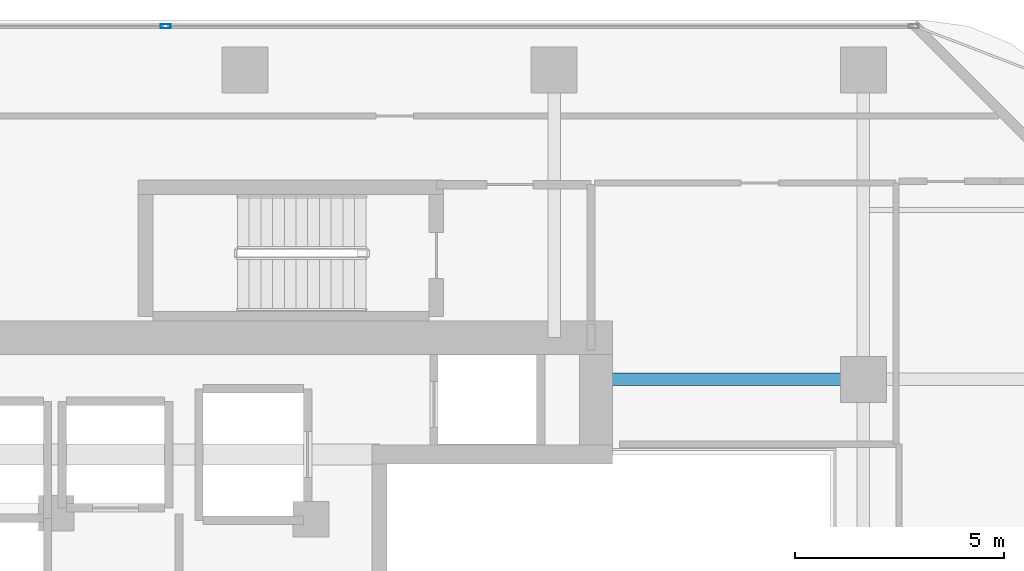
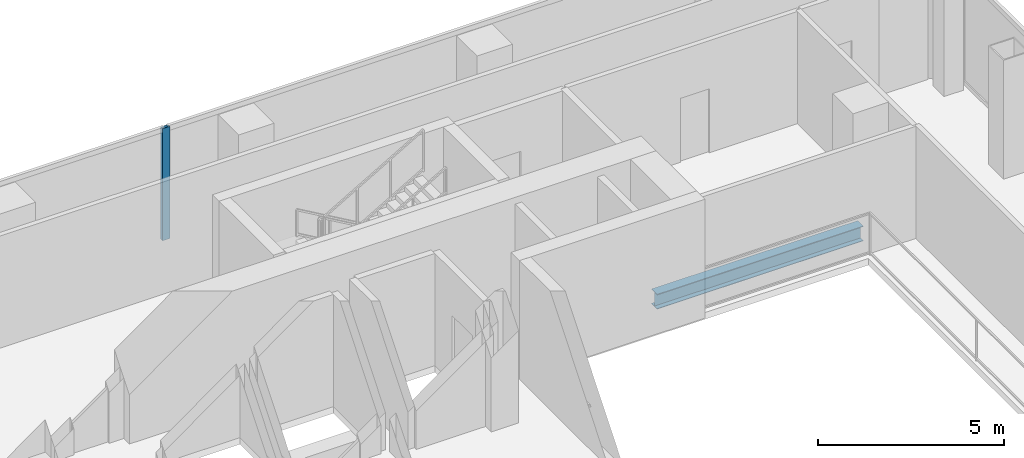
# One storey, part 13 of 23: 1 beam, 1 member, 1 element without a shape of its own.
"""IFC4 building model written with IfcOpenShell, lengths in metres."""

import ifcopenshell
import ifcopenshell.guid

model = None  # the IFC model being written
_history = None  # IfcOwnerHistory: only IFC2X3 demands one
_inside = {}  # id of a spatial element -> (the spatial element, [elements in it])
_under = {}  # id of a project, library or spatial element -> (it, [spatial elements below it])
_declared = {}  # id of a project -> (the project, [libraries it declares])
_typed = {}  # id of a type object -> (the type object, [elements of that type])
_made_of = {}  # id of a material, layer set ... -> (it, [elements and type objects made of it])


def new_model(schema):
    """Start an empty IFC model of exactly this schema.

    Asked for "IFC4X3", IfcOpenShell would pick the latest addendum, in which some entities
    have other attributes; the version numbers below select the first issue.
    IFC2X3 requires an IfcOwnerHistory on every rooted entity: one is made here for all.
    """
    global model, _history
    if schema == "IFC4X3":
        model = ifcopenshell.file(schema_version=(4, 3, 0, 0))
    else:
        model = ifcopenshell.file(schema=schema)
    _inside.clear()
    _under.clear()
    _declared.clear()
    _typed.clear()
    _made_of.clear()
    _history = None
    if model.schema == "IFC2X3":
        org = make("IfcOrganization", Name="unknown")
        user = make(
            "IfcPersonAndOrganization",
            ThePerson=make("IfcPerson", FamilyName="unknown"),
            TheOrganization=org,
        )
        app = make(
            "IfcApplication",
            ApplicationDeveloper=org,
            Version="unknown",
            ApplicationFullName="unknown",
            ApplicationIdentifier="unknown",
        )
        _history = make(
            "IfcOwnerHistory",
            OwningUser=user,
            OwningApplication=app,
            ChangeAction="ADDED",
            CreationDate=0,
        )
    return model


def make(cls, **values):
    """One entity of the class cls with the attributes given. An attribute that is None is left unset."""
    return model.create_entity(
        cls, **{name: value for name, value in values.items() if value is not None}
    )


def rooted(cls, **values):
    """An entity with a GlobalId (a new one), such as an element, a storey or a relation."""
    return make(cls, GlobalId=ifcopenshell.guid.new(), OwnerHistory=_history, **values)


def si_unit(unit_type, name, prefix=None):
    """IfcSIUnit, for example si_unit("LENGTHUNIT", "METRE", prefix="MILLI")."""
    return make("IfcSIUnit", UnitType=unit_type, Prefix=prefix, Name=name)


def assignment(units):
    """IfcUnitAssignment: the units of a project."""
    return None if units is None else make("IfcUnitAssignment", Units=units)


def point(xyz):
    """IfcCartesianPoint."""
    return None if xyz is None else make("IfcCartesianPoint", Coordinates=xyz)


def direction(xyz):
    """IfcDirection."""
    return None if xyz is None else make("IfcDirection", DirectionRatios=xyz)


def frame(location, z_axis=None, x_axis=None):
    """IfcAxis2Placement3D, a coordinate frame: its origin and axes. An axis left out is left unset."""
    return make(
        "IfcAxis2Placement3D",
        Location=point(location),
        Axis=direction(z_axis),
        RefDirection=direction(x_axis),
    )


def frame_2d(location, x_axis=None):
    """IfcAxis2Placement2D, a coordinate frame in the plane: its origin and x axis."""
    return make(
        "IfcAxis2Placement2D", Location=point(location), RefDirection=direction(x_axis)
    )


def origin():
    """The frame at (0, 0, 0) with its axes left unset."""
    return frame((0.0, 0.0, 0.0))


def origin_2d():
    """The frame at (0, 0) in the plane with its x axis left unset."""
    return frame_2d((0.0, 0.0))


def place(relative_to, where):
    """IfcLocalPlacement: puts the frame where relative to a parent placement (None: the world)."""
    return make(
        "IfcLocalPlacement", PlacementRelTo=relative_to, RelativePlacement=where
    )


def context(
    kind, dimensions, precision=None, world=None, true_north=None, identifier=None
):
    """IfcGeometricRepresentationContext, for example the 3D "Model" context."""
    return make(
        "IfcGeometricRepresentationContext",
        ContextIdentifier=identifier,
        ContextType=kind,
        CoordinateSpaceDimension=dimensions,
        Precision=precision,
        WorldCoordinateSystem=world,
        TrueNorth=true_north,
    )


def subcontext(parent, identifier, kind, view, scale=None):
    """IfcGeometricRepresentationSubContext, for example "Body" below "Model"."""
    return make(
        "IfcGeometricRepresentationSubContext",
        ContextIdentifier=identifier,
        ContextType=kind,
        ParentContext=parent,
        TargetScale=scale,
        TargetView=view,
    )


def project(units=None, contexts=None):
    """IfcProject with its units and contexts."""
    return rooted(
        "IfcProject",
        Name="project",
        RepresentationContexts=contexts,
        UnitsInContext=assignment(units),
    )


def spatial(cls, under=None, at=None, **own):
    """A site, building, storey or space (cls), placed at a placement, below another one or the project."""
    s = rooted(cls, ObjectPlacement=at, **own)
    if under is not None:
        _under.setdefault(under.id(), (under, []))[1].append(s)
    return s


def profile(cls, at=None, kind="AREA", **sizes):
    """A parametric profile (cls). Its sizes go by their IFC names, for example OverallWidth=200.0."""
    return make(cls, ProfileType=kind, Position=at, **sizes)


def hollow_rectangle(**sizes):
    """IfcRectangleHollowProfileDef."""
    return profile("IfcRectangleHollowProfileDef", **sizes)


def i_section(**sizes):
    """IfcIShapeProfileDef."""
    return profile("IfcIShapeProfileDef", **sizes)


def extrude(swept, where, along, depth):
    """IfcExtrudedAreaSolid: the profile swept, set in the frame where, extruded along a direction by depth."""
    return make(
        "IfcExtrudedAreaSolid",
        SweptArea=swept,
        Position=where,
        ExtrudedDirection=direction(along),
        Depth=depth,
    )


def shape(context_of_items, identifier, shape_type, items):
    """IfcShapeRepresentation: the items that make up one representation, for example the "Body"."""
    return make(
        "IfcShapeRepresentation",
        ContextOfItems=context_of_items,
        RepresentationIdentifier=identifier,
        RepresentationType=shape_type,
        Items=items,
    )


def material(Name=None, Category=None):
    """IfcMaterial."""
    return make("IfcMaterial", Name=Name, Category=Category)


def layer(
    of_material, thickness, ventilated=None, Name=None, Category=None, Priority=None
):
    """IfcMaterialLayer: one layer of a wall or slab, of a material (None: an air gap)."""
    return make(
        "IfcMaterialLayer",
        Material=of_material,
        LayerThickness=thickness,
        IsVentilated=ventilated,
        Name=Name,
        Category=Category,
        Priority=Priority,
    )


def layer_set(layers, Name=None):
    """IfcMaterialLayerSet."""
    return make("IfcMaterialLayerSet", MaterialLayers=layers, LayerSetName=Name)


def material_profile(
    of_material, cross_section, Name=None, Category=None, Priority=None
):
    """IfcMaterialProfile: a cross section and its material."""
    return make(
        "IfcMaterialProfile",
        Name=Name,
        Material=of_material,
        Profile=cross_section,
        Priority=Priority,
        Category=Category,
    )


def profile_set(profiles, Name=None, composite=None):
    """IfcMaterialProfileSet."""
    return make(
        "IfcMaterialProfileSet",
        Name=Name,
        MaterialProfiles=profiles,
        CompositeProfile=composite,
    )


def made_of(thing, what):
    """Note that an element or type object is made of a material, layer set ...; save() writes the relation."""
    if what is not None:
        _made_of.setdefault(what.id(), (what, []))[1].append(thing)
    return thing


def type_object(cls, material=None, **own):
    """A type object (cls), such as IfcWallType, which elements share."""
    return made_of(rooted(cls, **own), material)


def element(
    cls,
    number,
    at=None,
    inside=None,
    cuts=None,
    type_object=None,
    material=None,
    context=None,
    identifier="Body",
    shape_type=None,
    held_by="IfcProductDefinitionShape",
    body=None,
    shapes=None,
    **own,
):
    """One element of the class cls, such as IfcWall. Its Tag is "e" and its number.

    at: its placement. inside: the storey or other place that contains it. cuts: it is an
    opening in that element (IfcRelVoidsElement). A single representation is given by context,
    identifier, shape_type and body (its items); several are given by shapes. held_by: the class
    of the entity that holds the representations. save() writes the other relations.
    """
    e = rooted(cls, Tag="e%d" % number, ObjectPlacement=at, **own)
    if body is not None:
        shapes = [shape(context, identifier, shape_type, body)]
    if shapes is not None:
        e.Representation = make(held_by, Representations=shapes)
    if inside is not None:
        _inside.setdefault(inside.id(), (inside, []))[1].append(e)
    if cuts is not None:
        rooted(
            "IfcRelVoidsElement", RelatingBuildingElement=cuts, RelatedOpeningElement=e
        )
    if type_object is not None:
        _typed.setdefault(type_object.id(), (type_object, []))[1].append(e)
    return made_of(e, material)


def aggregate(whole, parts):
    """IfcRelAggregates: a whole, such as a stair, and the parts it consists of."""
    return rooted("IfcRelAggregates", RelatingObject=whole, RelatedObjects=parts)


def save(model, path):
    """Write the relations noted so far, then the file.

    IfcRelAggregates (storeys below a building ...), IfcRelContainedInSpatialStructure (elements
    in a storey), IfcRelDefinesByType, IfcRelAssociatesMaterial and IfcRelDeclares: one each for
    every whole, place, type object, material and project.
    """
    for whole, parts in _under.values():
        aggregate(whole, parts)
    for where, things in _inside.values():
        rooted(
            "IfcRelContainedInSpatialStructure",
            RelatedElements=things,
            RelatingStructure=where,
        )
    for kind, things in _typed.values():
        rooted("IfcRelDefinesByType", RelatedObjects=things, RelatingType=kind)
    for what, things in _made_of.values():
        rooted("IfcRelAssociatesMaterial", RelatedObjects=things, RelatingMaterial=what)
    for by, libraries in _declared.values():
        rooted("IfcRelDeclares", RelatingContext=by, RelatedDefinitions=libraries)
    model.write(path)


model = new_model("IFC4")

# Units and contexts
model_context = context("Model", 3, precision=1e-05, world=origin(), true_north=direction((0.0, 1.0)))
body_context = subcontext(model_context, "Body", "Model", "MODEL_VIEW")
ifc_project = project(units=[si_unit("LENGTHUNIT", "METRE"), si_unit("AREAUNIT", "SQUARE_METRE"), si_unit("VOLUMEUNIT", "CUBIC_METRE"), si_unit("PLANEANGLEUNIT", "RADIAN"), si_unit("MASSUNIT", "GRAM", prefix="KILO")], contexts=[model_context])

# Site, building, storey
site_placement = place(None, origin())
site = spatial("IfcSite", under=ifc_project, at=site_placement, CompositionType="ELEMENT")
building_placement = place(site_placement, origin())
building = spatial("IfcBuilding", under=site, at=building_placement, Name="Khorvyn Point Tower", CompositionType="ELEMENT")
storey_placement = place(building_placement, frame((0.0, 0.0, 199.199951171875)))
storey = spatial("IfcBuildingStorey", under=building, at=storey_placement, Name="L49", CompositionType="ELEMENT", Elevation=199.199951171875)

# Curtain wall, member
ifc_material_1 = material(Name="Anodised aluminium 6063-T6 and laminated Low-E glass", Category="aluminium")
ifc_layer = layer(ifc_material_1, 0.18994140625)
ifc_layer_set = layer_set([ifc_layer], Name="Stick-Built Acoustic Curtain Wall CW-SYS-03")
curtain_wall_type = type_object("IfcCurtainWallType", Name="Stick-Built Acoustic Curtain Wall CW-SYS-03", PredefinedType="NOTDEFINED", material=ifc_layer_set)
curtain_wall_placement = place(storey_placement, origin())
curtain_wall = element("IfcCurtainWall", 1, at=curtain_wall_placement, inside=storey, type_object=curtain_wall_type, Name="Curtain Wall", PredefinedType="NOTDEFINED")
ifc_material_2 = material(Name="Anodised aluminium 6063-T6", Category="aluminium")
ifc_material_profile_1 = material_profile(ifc_material_2, hollow_rectangle(XDim=0.10009765625, YDim=0.239990234375, WallThickness=0.0048828125, at=origin_2d()))
ifc_profile_set_1 = profile_set([ifc_material_profile_1], Name="Anodised aluminium 6063-T6 ALU-MUL-100x240")
member_type = type_object("IfcMemberType", Name="Anodised Aluminium 6063-T6 Mullion ALU-MUL-100x240", PredefinedType="MULLION", material=ifc_profile_set_1)
member_placement = place(storey_placement, frame((-1.89990234375, 15.85009765625, 0.0), z_axis=(0.0, 0.0, 1.0), x_axis=(0.0, 1.0, 0.0)))
member = element("IfcMember", 2, at=member_placement, type_object=member_type, Name="Transom", PredefinedType="MULLION", context=body_context, shape_type="SweptSolid", body=[
    extrude(hollow_rectangle(XDim=0.10009765625, YDim=0.239990234375, WallThickness=0.0048828125, at=origin_2d()), origin(), (0.0, 0.0, 1.0), 3.679931640625),
])
aggregate(curtain_wall, [member])

# Beam
ifc_material_3 = material(Name="Steel S355", Category="steel")
ifc_material_profile_2 = material_profile(ifc_material_3, i_section(OverallWidth=0.300048828125, OverallDepth=0.488037109375, WebThickness=0.010986328125, FlangeThickness=0.01806640625, at=origin_2d()))
ifc_profile_set_2 = profile_set([ifc_material_profile_2], Name="Steel S355 H488x300x11x18")
beam_type = type_object("IfcBeamType", Name="Steel S355 Spandrel H488x300x11x18", PredefinedType="SPANDREL", material=ifc_profile_set_2)
beam_placement = place(storey_placement, frame((8.39990234375, 7.39990234375, -0.4638671875), z_axis=(1.0, 0.0, 0.0), x_axis=(0.0, 1.0, 0.0)))
element("IfcBeam", 3, at=beam_placement, inside=storey, type_object=beam_type, Name="Beam", PredefinedType="SPANDREL", context=body_context, shape_type="SweptSolid", body=[
    extrude(i_section(OverallWidth=0.300048828125, OverallDepth=0.488037109375, WebThickness=0.010986328125, FlangeThickness=0.01806640625, at=origin_2d()), origin(), (0.0, 0.0, 1.0), 6.400146484375),
])

save(model, "model.ifc")
